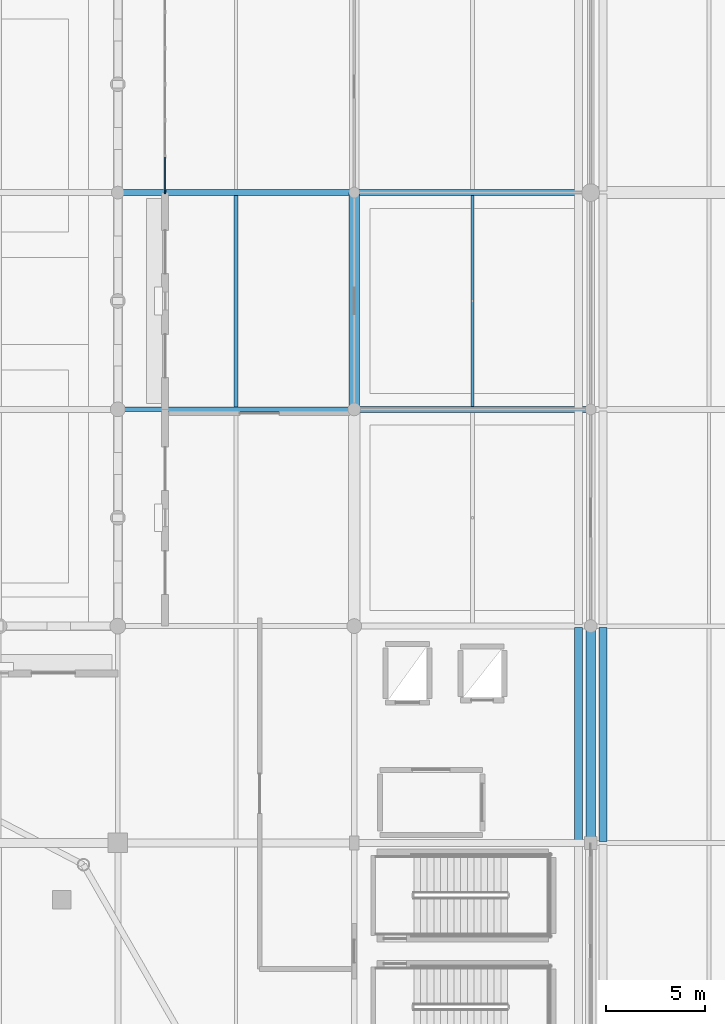
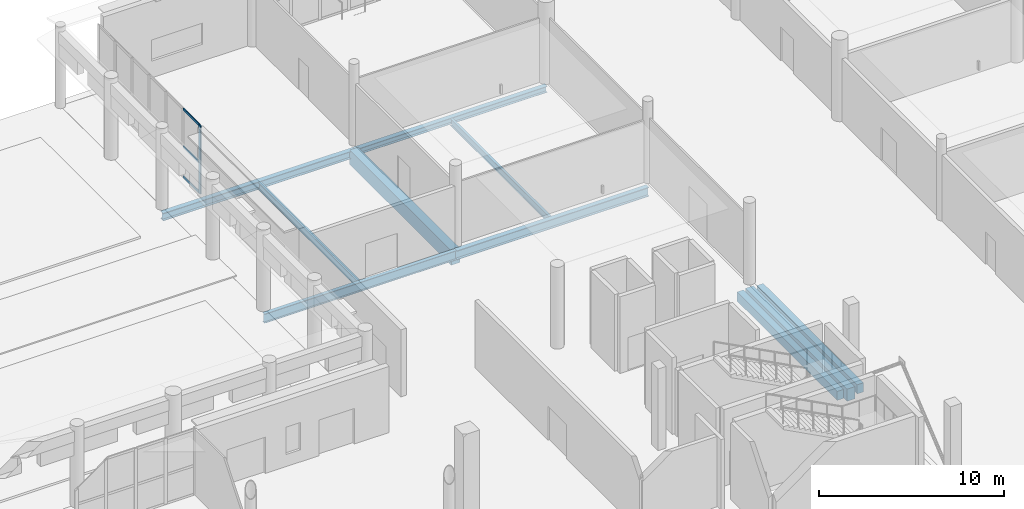
# One storey, part 36 of 120: 10 beams, 4 members, 1 element without a shape of its own.
"""IFC4 building model written with IfcOpenShell, lengths in metres."""

from ifc_helpers import new_model, si_unit, direction, frame, origin, origin_2d, place, context, subcontext, project, spatial, rectangle, i_section, extrude, material, material_profile, profile_set, type_object, element, aggregate, save


model = new_model("IFC4")

# Units and contexts
model_context = context("Model", 3, precision=1e-05, world=origin(), true_north=direction((0.0, 1.0)))
body_context = subcontext(model_context, "Body", "Model", "MODEL_VIEW")
ifc_project = project(units=[si_unit("LENGTHUNIT", "METRE"), si_unit("AREAUNIT", "SQUARE_METRE"), si_unit("VOLUMEUNIT", "CUBIC_METRE"), si_unit("PLANEANGLEUNIT", "RADIAN"), si_unit("MASSUNIT", "GRAM", prefix="KILO")], contexts=[model_context])

# Site, building, storey
site_placement = place(None, origin())
site = spatial("IfcSite", under=ifc_project, at=site_placement, CompositionType="ELEMENT")
building_placement = place(site_placement, origin())
building = spatial("IfcBuilding", under=site, at=building_placement, Name="Luwafu Chhajja Arena", CompositionType="ELEMENT")
storey_placement = place(building_placement, origin())
storey = spatial("IfcBuildingStorey", under=building, at=storey_placement, Name="L00", CompositionType="ELEMENT", Elevation=0.0)

# Curtain wall, members
ifc_material_1 = material(Name="Anodised bronze aluminium", Category="aluminium")
curtain_wall_type = type_object("IfcCurtainWallType", Name="VIP Club Terrace Curtain Wall", PredefinedType="USERDEFINED", material=ifc_material_1)
curtain_wall_placement = place(storey_placement, origin())
curtain_wall = element("IfcCurtainWall", 1, at=curtain_wall_placement, inside=storey, type_object=curtain_wall_type, Name="L00 Curtain Wall CWG-L00-V12_11", ObjectType="CURTAIN WALL", PredefinedType="USERDEFINED")
ifc_material_profile_1 = material_profile(ifc_material_1, rectangle(XDim=0.06494140625, YDim=0.199951171875, at=origin_2d()), Name="CWM 65x200")
ifc_profile_set_1 = profile_set([ifc_material_profile_1], Name="Anodised bronze aluminium")
member_type_1 = type_object("IfcMemberType", Name="Bronze Curtain Wall Mullion 65x200", PredefinedType="MULLION", material=ifc_profile_set_1)
member_1_placement = place(storey_placement, frame((142.39990234375, 121.032470703125, 0.030029296875), z_axis=(0.0, 0.0, 1.0), x_axis=(-1.0, 0.0, 0.0)))
member_1 = element("IfcMember", 2, at=member_1_placement, type_object=member_type_1, Name="CW-10 mullion 1", PredefinedType="MULLION", context=body_context, shape_type="SweptSolid", body=[
    extrude(rectangle(XDim=0.06494140625, YDim=0.199951171875, at=origin_2d()), origin(), (0.0, 0.0, 1.0), 4.52001953125),
])
ifc_material_profile_2 = material_profile(ifc_material_1, rectangle(XDim=0.06494140625, YDim=0.14990234375, at=origin_2d()), Name="CWT 65x150")
ifc_profile_set_2 = profile_set([ifc_material_profile_2], Name="Anodised bronze aluminium")
member_type_2 = type_object("IfcMemberType", Name="Bronze Curtain Wall Transom 65x150", PredefinedType="USERDEFINED", material=ifc_profile_set_2)
member_2_placement = place(storey_placement, frame((142.39990234375, 121.06494140625, 0.0625), z_axis=(0.0, 1.0, 0.0), x_axis=(-1.0, 0.0, 0.0)))
member_2 = element("IfcMember", 3, at=member_2_placement, type_object=member_type_2, Name="CW-10 transom 1.1", ObjectType="TRANSOM", PredefinedType="USERDEFINED", context=body_context, shape_type="SweptSolid", body=[
    extrude(rectangle(XDim=0.06494140625, YDim=0.14990234375, at=origin_2d()), origin(), (0.0, 0.0, 1.0), 1.73583984375),
])
member_3_placement = place(storey_placement, frame((142.39990234375, 121.06494140625, 2.047607421875), z_axis=(0.0, 1.0, 0.0), x_axis=(-1.0, 0.0, 0.0)))
member_3 = element("IfcMember", 4, at=member_3_placement, type_object=member_type_2, Name="CW-10 transom 1.2", ObjectType="TRANSOM", PredefinedType="USERDEFINED", context=body_context, shape_type="SweptSolid", body=[
    extrude(rectangle(XDim=0.06494140625, YDim=0.14990234375, at=origin_2d()), origin(), (0.0, 0.0, 1.0), 1.73583984375),
])
member_4_placement = place(storey_placement, frame((142.39990234375, 121.06494140625, 4.517578125), z_axis=(0.0, 1.0, 0.0), x_axis=(-1.0, 0.0, 0.0)))
member_4 = element("IfcMember", 5, at=member_4_placement, type_object=member_type_2, Name="CW-10 transom 1.3", ObjectType="TRANSOM", PredefinedType="USERDEFINED", context=body_context, shape_type="SweptSolid", body=[
    extrude(rectangle(XDim=0.06494140625, YDim=0.14990234375, at=origin_2d()), origin(), (0.0, 0.0, 1.0), 1.73583984375),
])
aggregate(curtain_wall, [member_1, member_2, member_3, member_4])

# Beams
ifc_material_2 = material(Name="Concrete C35/45", Category="concrete")
ifc_material_profile_3 = material_profile(ifc_material_2, rectangle(XDim=0.550048828125, YDim=0.949951171875, at=origin_2d()), Name="RC 550x950")
ifc_profile_set_3 = profile_set([ifc_material_profile_3], Name="Concrete C35/45")
beam_type_1 = type_object("IfcBeamType", Name="Concourse Radial Girder RC 550x950", PredefinedType="BEAM", material=ifc_profile_set_3)
beam_1_placement = place(storey_placement, frame((152.0, 110.0, -0.824951171875), z_axis=(0.0, 1.0, 0.0), x_axis=(-1.0, 0.0, 0.0)))
element("IfcBeam", 6, at=beam_1_placement, inside=storey, type_object=beam_type_1, Name="L00 Grid Beam 14/L-M", PredefinedType="BEAM", context=body_context, shape_type="SweptSolid", body=[
    extrude(rectangle(XDim=0.550048828125, YDim=0.949951171875, at=origin_2d()), origin(), (0.0, 0.0, 1.0), 11.0),
])
ifc_material_3 = material(Name="Steel S355", Category="steel")
ifc_material_profile_4 = material_profile(ifc_material_3, i_section(OverallWidth=0.15283203125, OverallDepth=0.45458984375, WebThickness=0.008056640625, FlangeThickness=0.01318359375, at=origin_2d()), Name="UB 457x152x60")
ifc_profile_set_4 = profile_set([ifc_material_profile_4], Name="Steel S355")
beam_type_2 = type_object("IfcBeamType", Name="Floor Joist UB 457x152x60", PredefinedType="JOIST", material=ifc_profile_set_4)
beam_2_placement = place(storey_placement, frame((158.0, 110.14990234375, -0.577392578125), z_axis=(0.0, 1.0, 0.0), x_axis=(-1.0, 0.0, 0.0)))
element("IfcBeam", 7, at=beam_2_placement, inside=storey, type_object=beam_type_2, Name="L00 Secondary Joist 14-15/L", PredefinedType="JOIST", context=body_context, shape_type="SweptSolid", body=[
    extrude(i_section(OverallWidth=0.15283203125, OverallDepth=0.45458984375, WebThickness=0.008056640625, FlangeThickness=0.01318359375, at=origin_2d()), origin(), (0.0, 0.0, 1.0), 10.7001953125),
])
ifc_material_profile_5 = material_profile(ifc_material_3, i_section(OverallWidth=0.19140625, OverallDepth=0.4599609375, WebThickness=0.010009765625, FlangeThickness=0.01611328125, at=origin_2d()), Name="UB 457x191x82")
ifc_profile_set_5 = profile_set([ifc_material_profile_5], Name="Steel S355")
beam_type_3 = type_object("IfcBeamType", Name="Floor Joist UB 457x191x82", PredefinedType="JOIST", material=ifc_profile_set_5)
beam_3_placement = place(storey_placement, frame((146.0, 110.114501953125, -0.580078125), z_axis=(0.0, 1.0, 0.0), x_axis=(-1.0, 0.0, 0.0)))
element("IfcBeam", 8, at=beam_3_placement, inside=storey, type_object=beam_type_3, Name="L00 Secondary Joist 13-14/L", PredefinedType="JOIST", context=body_context, shape_type="SweptSolid", body=[
    extrude(i_section(OverallWidth=0.19140625, OverallDepth=0.4599609375, WebThickness=0.010009765625, FlangeThickness=0.01611328125, at=origin_2d()), origin(), (0.0, 0.0, 1.0), 10.735595703125),
])
ifc_material_profile_6 = material_profile(ifc_material_2, rectangle(XDim=0.5, YDim=0.800048828125, at=origin_2d()), Name="RC 500x800")
ifc_profile_set_6 = profile_set([ifc_material_profile_6], Name="Concrete C35/45")
beam_type_4 = type_object("IfcBeamType", Name="Hospitality Primary Beam RC 500x800", PredefinedType="BEAM", material=ifc_profile_set_6)
beam_4_placement = place(storey_placement, frame((164.0, 88.0, -0.75), z_axis=(0.0, 1.0, 0.0), x_axis=(-1.0, 0.0, 0.0)))
element("IfcBeam", 9, at=beam_4_placement, inside=storey, type_object=beam_type_4, Name="L00 Grid Beam 15/J-K", PredefinedType="BEAM", context=body_context, shape_type="SweptSolid", body=[
    extrude(rectangle(XDim=0.5, YDim=0.800048828125, at=origin_2d()), origin(), (0.0, 0.0, 1.0), 11.0),
])
ifc_material_profile_7 = material_profile(ifc_material_2, rectangle(XDim=0.39990234375, YDim=0.60009765625, at=origin_2d()), Name="RC 400x600")
ifc_profile_set_7 = profile_set([ifc_material_profile_7], Name="Concrete C35/45")
beam_type_5 = type_object("IfcBeamType", Name="Podium Perimeter Spandrel RC 400x600", PredefinedType="SPANDREL", material=ifc_profile_set_7)
for number, where, z_axis, x_axis, name in (
    (10, (163.3798828125, 88.080078125, -0.64990234375), (0.0, 1.0, 0.0), (-1.0, 0.0, 0.0), "L00 Movement Joint MJ2W Seat Girder 08"),
    (11, (164.6201171875, 88.080078125, -0.64990234375), (0.0, 1.0, 0.0), (-1.0, 0.0, 0.0), "L00 Movement Joint MJ2E Seat Girder 08"),
):
    element("IfcBeam", number, at=place(storey_placement, frame(where, z_axis=z_axis, x_axis=x_axis)), inside=storey, type_object=beam_type_5, Name=name, PredefinedType="SPANDREL", context=body_context, shape_type="SweptSolid", body=[
        extrude(rectangle(XDim=0.39990234375, YDim=0.60009765625, at=origin_2d()), origin(), (0.0, 0.0, 1.0), 10.83984375),
    ])
ifc_material_profile_8 = material_profile(ifc_material_3, i_section(OverallWidth=0.300048828125, OverallDepth=0.5, WebThickness=0.014404296875, FlangeThickness=0.028076171875, at=origin_2d()), Name="HEB 500")
ifc_profile_set_8 = profile_set([ifc_material_profile_8], Name="Steel S355")
beam_type_6 = type_object("IfcBeamType", Name="Steel Atrium Tie Girder HEB 500", PredefinedType="BEAM", material=ifc_profile_set_8)
beam_5_placement = place(storey_placement, frame((140.0, 121.0, -0.60009765625), z_axis=(1.0, 0.0, 0.0), x_axis=(0.0, 1.0, 0.0)))
element("IfcBeam", 12, at=beam_5_placement, inside=storey, type_object=beam_type_6, Name="L00 Grid Beam 13-14/M", PredefinedType="BEAM", context=body_context, shape_type="SweptSolid", body=[
    extrude(i_section(OverallWidth=0.300048828125, OverallDepth=0.5, WebThickness=0.014404296875, FlangeThickness=0.028076171875, at=origin_2d()), origin(), (0.0, 0.0, 1.0), 12.0),
])
ifc_material_profile_9 = material_profile(ifc_material_3, i_section(OverallWidth=0.300048828125, OverallDepth=0.60009765625, WebThickness=0.015380859375, FlangeThickness=0.030029296875, at=origin_2d()), Name="HEB 600")
ifc_profile_set_9 = profile_set([ifc_material_profile_9], Name="Steel S355")
beam_type_7 = type_object("IfcBeamType", Name="Steel Gallery Girder HEB 600", PredefinedType="BEAM", material=ifc_profile_set_9)
beam_6_placement = place(storey_placement, frame((152.0, 110.0, -0.64990234375), z_axis=(1.0, 0.0, 0.0), x_axis=(0.0, 1.0, 0.0)))
element("IfcBeam", 13, at=beam_6_placement, inside=storey, type_object=beam_type_7, Name="L00 Grid Beam 14-15/L", PredefinedType="BEAM", context=body_context, shape_type="SweptSolid", body=[
    extrude(i_section(OverallWidth=0.300048828125, OverallDepth=0.60009765625, WebThickness=0.015380859375, FlangeThickness=0.030029296875, at=origin_2d()), origin(), (0.0, 0.0, 1.0), 12.0),
])
ifc_material_profile_10 = material_profile(ifc_material_3, i_section(OverallWidth=0.22900390625, OverallDepth=0.6123046875, WebThickness=0.011962890625, FlangeThickness=0.01953125, at=origin_2d()), Name="UB 610x229x125")
ifc_profile_set_10 = profile_set([ifc_material_profile_10], Name="Steel S355")
beam_type_8 = type_object("IfcBeamType", Name="Steel Mezzanine Girder UB 610x229x125", PredefinedType="BEAM", material=ifc_profile_set_10)
beam_7_placement = place(storey_placement, frame((140.0, 110.0, -0.656005859375), z_axis=(1.0, 0.0, 0.0), x_axis=(0.0, 1.0, 0.0)))
element("IfcBeam", 14, at=beam_7_placement, inside=storey, type_object=beam_type_8, Name="L00 Grid Beam 13-14/L", PredefinedType="BEAM", context=body_context, shape_type="SweptSolid", body=[
    extrude(i_section(OverallWidth=0.22900390625, OverallDepth=0.6123046875, WebThickness=0.011962890625, FlangeThickness=0.01953125, at=origin_2d()), origin(), (0.0, 0.0, 1.0), 12.0),
])
ifc_material_profile_11 = material_profile(ifc_material_3, i_section(OverallWidth=0.300048828125, OverallDepth=0.39990234375, WebThickness=0.013427734375, FlangeThickness=0.02392578125, at=origin_2d()), Name="HEB 400")
ifc_profile_set_11 = profile_set([ifc_material_profile_11], Name="Steel S355")
beam_type_9 = type_object("IfcBeamType", Name="Steel Rigging Grid Beam HEB 400", PredefinedType="BEAM", material=ifc_profile_set_11)
beam_8_placement = place(storey_placement, frame((152.0, 121.0, -0.550048828125), z_axis=(1.0, 0.0, 0.0), x_axis=(0.0, 1.0, 0.0)))
element("IfcBeam", 15, at=beam_8_placement, inside=storey, type_object=beam_type_9, Name="L00 Grid Beam 14-15/M", PredefinedType="BEAM", context=body_context, shape_type="SweptSolid", body=[
    extrude(i_section(OverallWidth=0.300048828125, OverallDepth=0.39990234375, WebThickness=0.013427734375, FlangeThickness=0.02392578125, at=origin_2d()), origin(), (0.0, 0.0, 1.0), 12.0),
])

save(model, "model.ifc")
